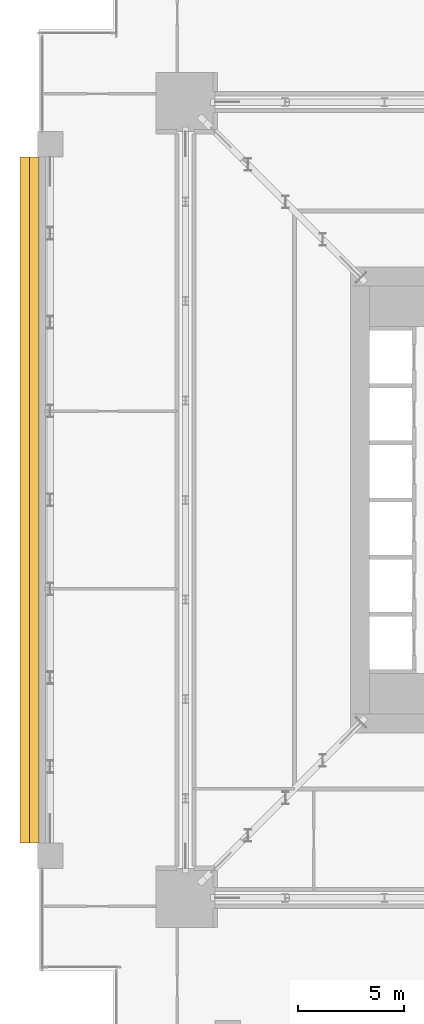
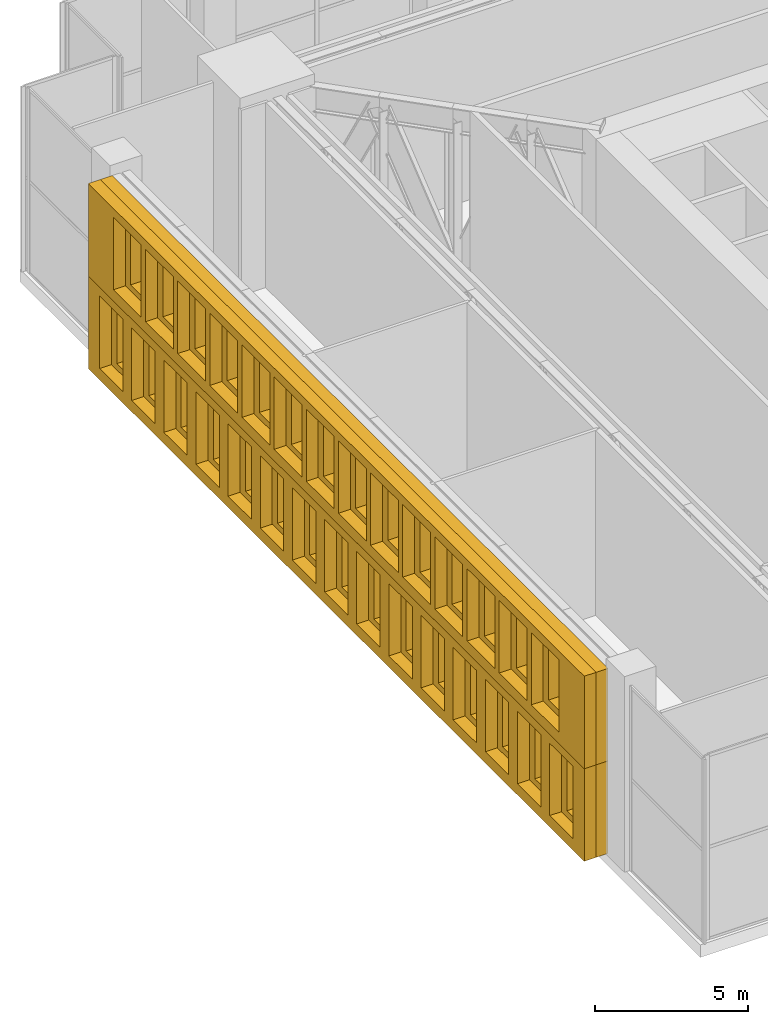
# One storey, part 19 of 21: 4 shading devices.
"""IFC4 building model written with IfcOpenShell, lengths in metres."""

from ifc_helpers import new_model, si_unit, direction, frame, origin, place, context, subcontext, project, spatial, polyline, outline, extrude, material, type_object, element, save


model = new_model("IFC4")

# Units and contexts
model_context = context("Model", 3, precision=1e-05, world=origin(), true_north=direction((0.0, 1.0)))
body_context = subcontext(model_context, "Body", "Model", "MODEL_VIEW")
ifc_project = project(units=[si_unit("LENGTHUNIT", "METRE"), si_unit("AREAUNIT", "SQUARE_METRE"), si_unit("VOLUMEUNIT", "CUBIC_METRE"), si_unit("PLANEANGLEUNIT", "RADIAN"), si_unit("MASSUNIT", "GRAM", prefix="KILO")], contexts=[model_context])

# Site, building, storey
site_placement = place(None, origin())
site = spatial("IfcSite", under=ifc_project, at=site_placement, CompositionType="ELEMENT")
building_placement = place(site_placement, origin())
building = spatial("IfcBuilding", under=site, at=building_placement, Name="Khepri Terraces", CompositionType="ELEMENT")
storey_placement = place(building_placement, frame((0.0, 0.0, 126.0)))
storey = spatial("IfcBuildingStorey", under=building, at=storey_placement, Name="L30", CompositionType="ELEMENT", Elevation=126.0)

# Shading devices
ifc_material = material(Name="Precast concrete C50/60 warm stone", Category="masonry")
shading_device_type_1 = type_object("IfcShadingDeviceType", Name="SCR-CELL-INNER-450", PredefinedType="USERDEFINED", material=ifc_material)
shading_device_1_placement = place(storey_placement, frame((-25.719970703125, 16.199951171875, 0.0), z_axis=(-1.0, 0.0, 0.0), x_axis=(0.0, -1.0, 0.0)))
element("IfcShadingDevice", 1, at=shading_device_1_placement, inside=storey, type_object=shading_device_type_1, Name="Cell screen L30 W in", ObjectType="SCREEN", PredefinedType="USERDEFINED", context=body_context, shape_type="SweptSolid", body=[
    extrude(outline(polyline([(0.0, 0.0), (32.39990234375, 0.0), (32.39990234375, 3.68994140625), (0.0, 3.68994140625), (0.0, 0.0)]), holes=[polyline([(1.086669921875, 0.699951171875), (1.913330078125, 0.699951171875), (1.913330078125, 3.090087890625), (1.086669921875, 3.090087890625), (1.086669921875, 0.699951171875)]), polyline([(3.1865234375, 0.699951171875), (4.013427734375, 0.699951171875), (4.013427734375, 3.090087890625), (3.1865234375, 3.090087890625), (3.1865234375, 0.699951171875)]), polyline([(5.28662109375, 0.699951171875), (6.11328125, 0.699951171875), (6.11328125, 3.090087890625), (5.28662109375, 3.090087890625), (5.28662109375, 0.699951171875)]), polyline([(7.38671875, 0.699951171875), (8.21337890625, 0.699951171875), (8.21337890625, 3.090087890625), (7.38671875, 3.090087890625), (7.38671875, 0.699951171875)]), polyline([(9.486572265625, 0.699951171875), (10.3134765625, 0.699951171875), (10.3134765625, 3.090087890625), (9.486572265625, 3.090087890625), (9.486572265625, 0.699951171875)]), polyline([(11.586669921875, 0.699951171875), (12.413330078125, 0.699951171875), (12.413330078125, 3.090087890625), (11.586669921875, 3.090087890625), (11.586669921875, 0.699951171875)]), polyline([(13.6865234375, 0.699951171875), (14.513427734375, 0.699951171875), (14.513427734375, 3.090087890625), (13.6865234375, 3.090087890625), (13.6865234375, 0.699951171875)]), polyline([(15.78662109375, 0.699951171875), (16.61328125, 0.699951171875), (16.61328125, 3.090087890625), (15.78662109375, 3.090087890625), (15.78662109375, 0.699951171875)]), polyline([(17.88671875, 0.699951171875), (18.71337890625, 0.699951171875), (18.71337890625, 3.090087890625), (17.88671875, 3.090087890625), (17.88671875, 0.699951171875)]), polyline([(19.986572265625, 0.699951171875), (20.8134765625, 0.699951171875), (20.8134765625, 3.090087890625), (19.986572265625, 3.090087890625), (19.986572265625, 0.699951171875)]), polyline([(22.086669921875, 0.699951171875), (22.913330078125, 0.699951171875), (22.913330078125, 3.090087890625), (22.086669921875, 3.090087890625), (22.086669921875, 0.699951171875)]), polyline([(24.1865234375, 0.699951171875), (25.013427734375, 0.699951171875), (25.013427734375, 3.090087890625), (24.1865234375, 3.090087890625), (24.1865234375, 0.699951171875)]), polyline([(26.28662109375, 0.699951171875), (27.11328125, 0.699951171875), (27.11328125, 3.090087890625), (26.28662109375, 3.090087890625), (26.28662109375, 0.699951171875)]), polyline([(28.38671875, 0.699951171875), (29.21337890625, 0.699951171875), (29.21337890625, 3.090087890625), (28.38671875, 3.090087890625), (28.38671875, 0.699951171875)]), polyline([(30.486572265625, 0.699951171875), (31.3134765625, 0.699951171875), (31.3134765625, 3.090087890625), (30.486572265625, 3.090087890625), (30.486572265625, 0.699951171875)])]), origin(), (0.0, 0.0, 1.0), 0.449951171875),
])
shading_device_2_placement = place(storey_placement, frame((-25.719970703125, 16.199951171875, 3.68994140625), z_axis=(-1.0, 0.0, 0.0), x_axis=(0.0, -1.0, 0.0)))
element("IfcShadingDevice", 2, at=shading_device_2_placement, inside=storey, type_object=shading_device_type_1, Name="Cell screen L30 W in", ObjectType="SCREEN", PredefinedType="USERDEFINED", context=body_context, shape_type="SweptSolid", body=[
    extrude(outline(polyline([(0.0, 0.0), (32.39990234375, 0.0), (32.39990234375, 3.68994140625), (0.0, 3.68994140625), (0.0, 0.0)]), holes=[polyline([(1.99072265625, 0.699951171875), (3.109375, 0.699951171875), (3.109375, 3.090087890625), (1.99072265625, 3.090087890625), (1.99072265625, 0.699951171875)]), polyline([(4.0908203125, 0.699951171875), (5.209228515625, 0.699951171875), (5.209228515625, 3.090087890625), (4.0908203125, 3.090087890625), (4.0908203125, 0.699951171875)]), polyline([(6.190673828125, 0.699951171875), (7.309326171875, 0.699951171875), (7.309326171875, 3.090087890625), (6.190673828125, 3.090087890625), (6.190673828125, 0.699951171875)]), polyline([(8.290771484375, 0.699951171875), (9.4091796875, 0.699951171875), (9.4091796875, 3.090087890625), (8.290771484375, 3.090087890625), (8.290771484375, 0.699951171875)]), polyline([(10.390625, 0.699951171875), (11.50927734375, 0.699951171875), (11.50927734375, 3.090087890625), (10.390625, 3.090087890625), (10.390625, 0.699951171875)]), polyline([(12.49072265625, 0.699951171875), (13.609375, 0.699951171875), (13.609375, 3.090087890625), (12.49072265625, 3.090087890625), (12.49072265625, 0.699951171875)]), polyline([(14.5908203125, 0.699951171875), (15.709228515625, 0.699951171875), (15.709228515625, 3.090087890625), (14.5908203125, 3.090087890625), (14.5908203125, 0.699951171875)]), polyline([(16.690673828125, 0.699951171875), (17.809326171875, 0.699951171875), (17.809326171875, 3.090087890625), (16.690673828125, 3.090087890625), (16.690673828125, 0.699951171875)]), polyline([(18.790771484375, 0.699951171875), (19.9091796875, 0.699951171875), (19.9091796875, 3.090087890625), (18.790771484375, 3.090087890625), (18.790771484375, 0.699951171875)]), polyline([(20.890625, 0.699951171875), (22.00927734375, 0.699951171875), (22.00927734375, 3.090087890625), (20.890625, 3.090087890625), (20.890625, 0.699951171875)]), polyline([(22.99072265625, 0.699951171875), (24.109375, 0.699951171875), (24.109375, 3.090087890625), (22.99072265625, 3.090087890625), (22.99072265625, 0.699951171875)]), polyline([(25.0908203125, 0.699951171875), (26.209228515625, 0.699951171875), (26.209228515625, 3.090087890625), (25.0908203125, 3.090087890625), (25.0908203125, 0.699951171875)]), polyline([(27.190673828125, 0.699951171875), (28.309326171875, 0.699951171875), (28.309326171875, 3.090087890625), (27.190673828125, 3.090087890625), (27.190673828125, 0.699951171875)]), polyline([(29.290771484375, 0.699951171875), (30.4091796875, 0.699951171875), (30.4091796875, 3.090087890625), (29.290771484375, 3.090087890625), (29.290771484375, 0.699951171875)])]), origin(), (0.0, 0.0, 1.0), 0.449951171875),
])
shading_device_type_2 = type_object("IfcShadingDeviceType", Name="SCR-CELL-OUTER-450", PredefinedType="USERDEFINED", material=ifc_material)
shading_device_3_placement = place(storey_placement, frame((-26.169921875, 16.199951171875, 0.0), z_axis=(-1.0, 0.0, 0.0), x_axis=(0.0, -1.0, 0.0)))
element("IfcShadingDevice", 3, at=shading_device_3_placement, inside=storey, type_object=shading_device_type_2, Name="Cell screen L30 W out", ObjectType="SCREEN", PredefinedType="USERDEFINED", context=body_context, shape_type="SweptSolid", body=[
    extrude(outline(polyline([(0.0, 0.0), (32.39990234375, 0.0), (32.39990234375, 3.68994140625), (0.0, 3.68994140625), (0.0, 0.0)]), holes=[polyline([(0.736572265625, 0.449951171875), (2.263427734375, 0.449951171875), (2.263427734375, 3.340087890625), (0.736572265625, 3.340087890625), (0.736572265625, 0.449951171875)]), polyline([(2.836669921875, 0.449951171875), (4.36328125, 0.449951171875), (4.36328125, 3.340087890625), (2.836669921875, 3.340087890625), (2.836669921875, 0.449951171875)]), polyline([(4.9365234375, 0.449951171875), (6.46337890625, 0.449951171875), (6.46337890625, 3.340087890625), (4.9365234375, 3.340087890625), (4.9365234375, 0.449951171875)]), polyline([(7.03662109375, 0.449951171875), (8.5634765625, 0.449951171875), (8.5634765625, 3.340087890625), (7.03662109375, 3.340087890625), (7.03662109375, 0.449951171875)]), polyline([(9.13671875, 0.449951171875), (10.663330078125, 0.449951171875), (10.663330078125, 3.340087890625), (9.13671875, 3.340087890625), (9.13671875, 0.449951171875)]), polyline([(11.236572265625, 0.449951171875), (12.763427734375, 0.449951171875), (12.763427734375, 3.340087890625), (11.236572265625, 3.340087890625), (11.236572265625, 0.449951171875)]), polyline([(13.336669921875, 0.449951171875), (14.86328125, 0.449951171875), (14.86328125, 3.340087890625), (13.336669921875, 3.340087890625), (13.336669921875, 0.449951171875)]), polyline([(15.4365234375, 0.449951171875), (16.96337890625, 0.449951171875), (16.96337890625, 3.340087890625), (15.4365234375, 3.340087890625), (15.4365234375, 0.449951171875)]), polyline([(17.53662109375, 0.449951171875), (19.0634765625, 0.449951171875), (19.0634765625, 3.340087890625), (17.53662109375, 3.340087890625), (17.53662109375, 0.449951171875)]), polyline([(19.63671875, 0.449951171875), (21.163330078125, 0.449951171875), (21.163330078125, 3.340087890625), (19.63671875, 3.340087890625), (19.63671875, 0.449951171875)]), polyline([(21.736572265625, 0.449951171875), (23.263427734375, 0.449951171875), (23.263427734375, 3.340087890625), (21.736572265625, 3.340087890625), (21.736572265625, 0.449951171875)]), polyline([(23.836669921875, 0.449951171875), (25.36328125, 0.449951171875), (25.36328125, 3.340087890625), (23.836669921875, 3.340087890625), (23.836669921875, 0.449951171875)]), polyline([(25.9365234375, 0.449951171875), (27.46337890625, 0.449951171875), (27.46337890625, 3.340087890625), (25.9365234375, 3.340087890625), (25.9365234375, 0.449951171875)]), polyline([(28.03662109375, 0.449951171875), (29.5634765625, 0.449951171875), (29.5634765625, 3.340087890625), (28.03662109375, 3.340087890625), (28.03662109375, 0.449951171875)]), polyline([(30.13671875, 0.449951171875), (31.663330078125, 0.449951171875), (31.663330078125, 3.340087890625), (30.13671875, 3.340087890625), (30.13671875, 0.449951171875)])]), origin(), (0.0, 0.0, 1.0), 0.4501953125),
])
shading_device_4_placement = place(storey_placement, frame((-26.169921875, 16.199951171875, 3.68994140625), z_axis=(-1.0, 0.0, 0.0), x_axis=(0.0, -1.0, 0.0)))
element("IfcShadingDevice", 4, at=shading_device_4_placement, inside=storey, type_object=shading_device_type_2, Name="Cell screen L30 W out", ObjectType="SCREEN", PredefinedType="USERDEFINED", context=body_context, shape_type="SweptSolid", body=[
    extrude(outline(polyline([(0.0, 0.0), (32.39990234375, 0.0), (32.39990234375, 3.68994140625), (0.0, 3.68994140625), (0.0, 0.0)]), holes=[polyline([(1.640625, 0.449951171875), (3.459228515625, 0.449951171875), (3.459228515625, 3.340087890625), (1.640625, 3.340087890625), (1.640625, 0.449951171875)]), polyline([(3.74072265625, 0.449951171875), (5.559326171875, 0.449951171875), (5.559326171875, 3.340087890625), (3.74072265625, 3.340087890625), (3.74072265625, 0.449951171875)]), polyline([(5.8408203125, 0.449951171875), (7.6591796875, 0.449951171875), (7.6591796875, 3.340087890625), (5.8408203125, 3.340087890625), (5.8408203125, 0.449951171875)]), polyline([(7.940673828125, 0.449951171875), (9.75927734375, 0.449951171875), (9.75927734375, 3.340087890625), (7.940673828125, 3.340087890625), (7.940673828125, 0.449951171875)]), polyline([(10.040771484375, 0.449951171875), (11.859375, 0.449951171875), (11.859375, 3.340087890625), (10.040771484375, 3.340087890625), (10.040771484375, 0.449951171875)]), polyline([(12.140625, 0.449951171875), (13.959228515625, 0.449951171875), (13.959228515625, 3.340087890625), (12.140625, 3.340087890625), (12.140625, 0.449951171875)]), polyline([(14.24072265625, 0.449951171875), (16.059326171875, 0.449951171875), (16.059326171875, 3.340087890625), (14.24072265625, 3.340087890625), (14.24072265625, 0.449951171875)]), polyline([(16.3408203125, 0.449951171875), (18.1591796875, 0.449951171875), (18.1591796875, 3.340087890625), (16.3408203125, 3.340087890625), (16.3408203125, 0.449951171875)]), polyline([(18.440673828125, 0.449951171875), (20.25927734375, 0.449951171875), (20.25927734375, 3.340087890625), (18.440673828125, 3.340087890625), (18.440673828125, 0.449951171875)]), polyline([(20.540771484375, 0.449951171875), (22.359375, 0.449951171875), (22.359375, 3.340087890625), (20.540771484375, 3.340087890625), (20.540771484375, 0.449951171875)]), polyline([(22.640625, 0.449951171875), (24.459228515625, 0.449951171875), (24.459228515625, 3.340087890625), (22.640625, 3.340087890625), (22.640625, 0.449951171875)]), polyline([(24.74072265625, 0.449951171875), (26.559326171875, 0.449951171875), (26.559326171875, 3.340087890625), (24.74072265625, 3.340087890625), (24.74072265625, 0.449951171875)]), polyline([(26.8408203125, 0.449951171875), (28.6591796875, 0.449951171875), (28.6591796875, 3.340087890625), (26.8408203125, 3.340087890625), (26.8408203125, 0.449951171875)]), polyline([(28.940673828125, 0.449951171875), (30.75927734375, 0.449951171875), (30.75927734375, 3.340087890625), (28.940673828125, 3.340087890625), (28.940673828125, 0.449951171875)])]), origin(), (0.0, 0.0, 1.0), 0.4501953125),
])

save(model, "model.ifc")
